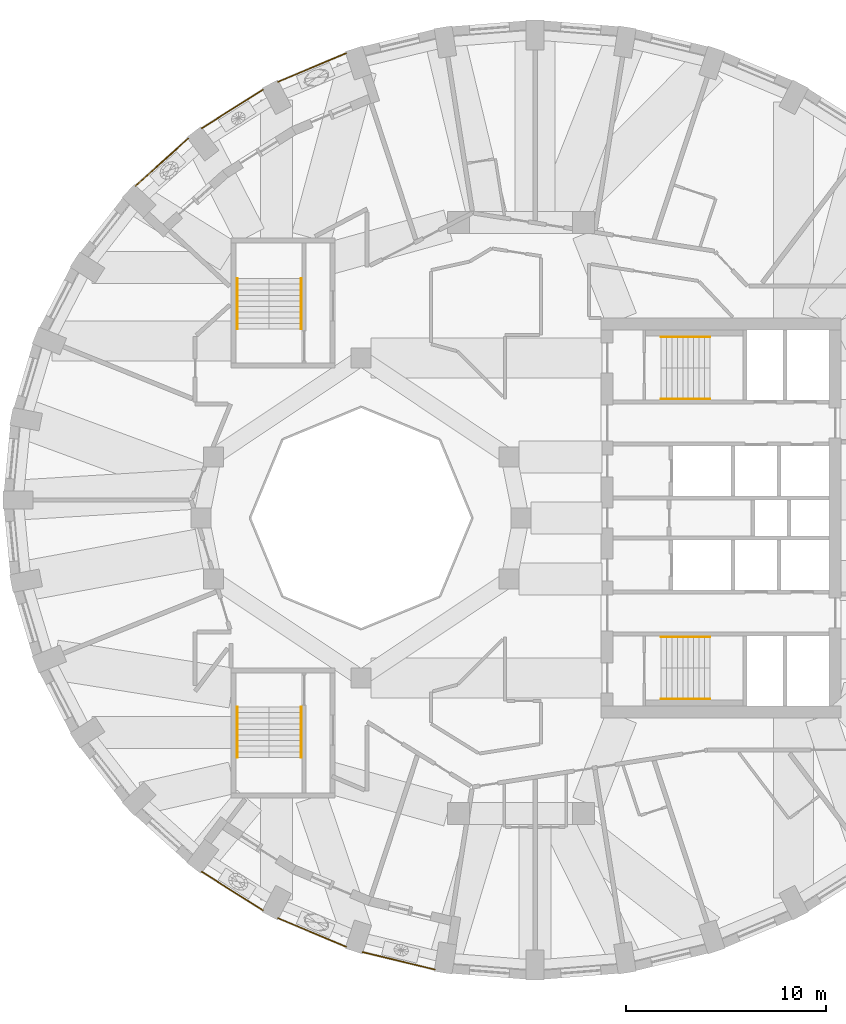
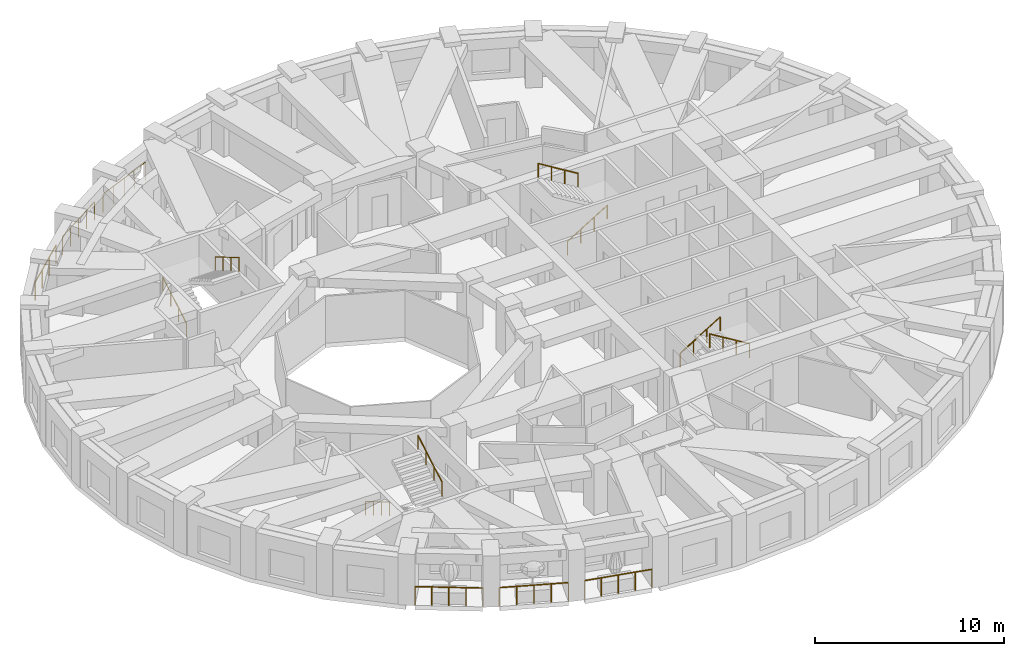
# One storey, part 10 of 12: 14 railings.
"""IFC4 building model written with IfcOpenShell, lengths in metres."""

from ifc_helpers import new_model, si_unit, direction, frame, origin, origin_2d, place, context, subcontext, project, spatial, circle, extrude, material, type_object, element, save


model = new_model("IFC4")

# Units and contexts
model_context = context("Model", 3, precision=1e-05, world=origin(), true_north=direction((0.0, 1.0)))
body_context = subcontext(model_context, "Body", "Model", "MODEL_VIEW")
ifc_project = project(units=[si_unit("LENGTHUNIT", "METRE"), si_unit("AREAUNIT", "SQUARE_METRE"), si_unit("VOLUMEUNIT", "CUBIC_METRE"), si_unit("PLANEANGLEUNIT", "RADIAN"), si_unit("MASSUNIT", "GRAM", prefix="KILO")], contexts=[model_context])

# Site, building, storey
site_placement = place(None, origin())
site = spatial("IfcSite", under=ifc_project, at=site_placement, CompositionType="ELEMENT")
building_placement = place(site_placement, origin())
building = spatial("IfcBuilding", under=site, at=building_placement, Name="Taillehof Tower", CompositionType="ELEMENT")
storey_placement = place(building_placement, frame((0.0, 0.0, 209.0)))
storey = spatial("IfcBuildingStorey", under=building, at=storey_placement, Name="L59", CompositionType="ELEMENT", Elevation=209.0)

# Railings
ifc_material_1 = material(Name="Stainless steel balustrade", Category="steel")
railing_type_1 = type_object("IfcRailingType", Name="Balcony guard 1200", PredefinedType="GUARDRAIL", material=ifc_material_1)
railing_1_placement = place(storey_placement, frame((-15.967041015625, -17.6904296875, 0.0)))
element("IfcRailing", 1, at=railing_1_placement, inside=storey, type_object=railing_type_1, Name="Balcony guard L59 bay 24", PredefinedType="GUARDRAIL", context=body_context, shape_type="SweptSolid", body=[
    extrude(circle(Radius=0.02392578125, at=origin_2d()), frame((0.0, 0.0, 1.17578125), z_axis=(0.846122283453, -0.532988819249, 0.0), x_axis=(0.532988819249, 0.846122283453, 0.0)), (0.0, 0.0, 1.0), 3.614501953125),
    extrude(circle(Radius=0.02099609375, at=origin_2d()), origin(), (0.0, 0.0, 1.0), 1.15185546875),
    extrude(circle(Radius=0.02099609375, at=origin_2d()), frame((0.7646484375, -0.481689453125, 0.0)), (0.0, 0.0, 1.0), 1.15185546875),
    extrude(circle(Radius=0.02099609375, at=origin_2d()), frame((1.529296875, -0.96337890625, 0.0)), (0.0, 0.0, 1.0), 1.15185546875),
    extrude(circle(Radius=0.02099609375, at=origin_2d()), frame((2.293701171875, -1.44482421875, 0.0)), (0.0, 0.0, 1.0), 1.15185546875),
    extrude(circle(Radius=0.02099609375, at=origin_2d()), frame((3.058349609375, -1.926513671875, 0.0)), (0.0, 0.0, 1.0), 1.15185546875),
])
railing_2_placement = place(storey_placement, frame((-12.145751953125, -20.013671875, 0.0)))
element("IfcRailing", 2, at=railing_2_placement, inside=storey, type_object=railing_type_1, Name="Balcony guard L59 bay 25", PredefinedType="GUARDRAIL", context=body_context, shape_type="SweptSolid", body=[
    extrude(circle(Radius=0.02392578125, at=origin_2d()), frame((0.0, 0.0, 1.17578125), z_axis=(0.922153135678, -0.386825017752, 0.0), x_axis=(0.386825017752, 0.922153135678, 0.0)), (0.0, 0.0, 1.0), 3.677734375),
    extrude(circle(Radius=0.02099609375, at=origin_2d()), origin(), (0.0, 0.0, 1.0), 1.15185546875),
    extrude(circle(Radius=0.02099609375, at=origin_2d()), frame((0.847900390625, -0.355712890625, 0.0)), (0.0, 0.0, 1.0), 1.15185546875),
    extrude(circle(Radius=0.02099609375, at=origin_2d()), frame((1.69580078125, -0.71142578125, 0.0)), (0.0, 0.0, 1.0), 1.15185546875),
    extrude(circle(Radius=0.02099609375, at=origin_2d()), frame((2.54345703125, -1.06689453125, 0.0)), (0.0, 0.0, 1.0), 1.15185546875),
    extrude(circle(Radius=0.02099609375, at=origin_2d()), frame((3.391357421875, -1.422607421875, 0.0)), (0.0, 0.0, 1.0), 1.15185546875),
])
railing_3_placement = place(storey_placement, frame((-7.93701171875, -21.704345703125, 0.0)))
element("IfcRailing", 3, at=railing_3_placement, inside=storey, type_object=railing_type_1, Name="Balcony guard L59 bay 26", PredefinedType="GUARDRAIL", context=body_context, shape_type="SweptSolid", body=[
    extrude(circle(Radius=0.02392578125, at=origin_2d()), frame((0.0, 0.0, 1.17578125), z_axis=(0.972163104093, -0.234305140875, 0.0), x_axis=(0.234305140875, 0.972163104093, 0.0)), (0.0, 0.0, 1.0), 3.72412109375),
    extrude(circle(Radius=0.02099609375, at=origin_2d()), origin(), (0.0, 0.0, 1.0), 1.15185546875),
    extrude(circle(Radius=0.02099609375, at=origin_2d()), frame((0.905029296875, -0.21826171875, 0.0)), (0.0, 0.0, 1.0), 1.15185546875),
    extrude(circle(Radius=0.02099609375, at=origin_2d()), frame((1.81005859375, -0.436279296875, 0.0)), (0.0, 0.0, 1.0), 1.15185546875),
    extrude(circle(Radius=0.02099609375, at=origin_2d()), frame((2.71533203125, -0.654296875, 0.0)), (0.0, 0.0, 1.0), 1.15185546875),
    extrude(circle(Radius=0.02099609375, at=origin_2d()), frame((3.620361328125, -0.87255859375, 0.0)), (0.0, 0.0, 1.0), 1.15185546875),
])
railing_4_placement = place(storey_placement, frame((-8.75439453125, 23.236328125, 0.0)))
element("IfcRailing", 4, at=railing_4_placement, inside=storey, type_object=railing_type_1, Name="Balcony guard L59 bay 12", PredefinedType="GUARDRAIL", context=body_context, shape_type="SweptSolid", body=[
    extrude(circle(Radius=0.02392578125, at=origin_2d()), frame((0.0, 0.0, 1.17578125), z_axis=(-0.922153135678, -0.386825017752, 0.0), x_axis=(0.386825017752, -0.922153135678, 0.0)), (0.0, 0.0, 1.0), 3.677734375),
    extrude(circle(Radius=0.02099609375, at=origin_2d()), origin(), (0.0, 0.0, 1.0), 1.15185546875),
    extrude(circle(Radius=0.02099609375, at=origin_2d()), frame((-0.847900390625, -0.355712890625, 0.0)), (0.0, 0.0, 1.0), 1.15185546875),
    extrude(circle(Radius=0.02099609375, at=origin_2d()), frame((-1.69580078125, -0.71142578125, 0.0)), (0.0, 0.0, 1.0), 1.15185546875),
    extrude(circle(Radius=0.02099609375, at=origin_2d()), frame((-2.54345703125, -1.06689453125, 0.0)), (0.0, 0.0, 1.0), 1.15185546875),
    extrude(circle(Radius=0.02099609375, at=origin_2d()), frame((-3.391357421875, -1.422607421875, 0.0)), (0.0, 0.0, 1.0), 1.15185546875),
])
railing_5_placement = place(storey_placement, frame((-12.90869140625, 21.4169921875, 0.0)))
element("IfcRailing", 5, at=railing_5_placement, inside=storey, type_object=railing_type_1, Name="Balcony guard L59 bay 13", PredefinedType="GUARDRAIL", context=body_context, shape_type="SweptSolid", body=[
    extrude(circle(Radius=0.02392578125, at=origin_2d()), frame((0.0, 0.0, 1.17578125), z_axis=(-0.846122283453, -0.532988819249, 0.0), x_axis=(0.532988819249, -0.846122283453, 0.0)), (0.0, 0.0, 1.0), 3.614501953125),
    extrude(circle(Radius=0.02099609375, at=origin_2d()), origin(), (0.0, 0.0, 1.0), 1.15185546875),
    extrude(circle(Radius=0.02099609375, at=origin_2d()), frame((-0.7646484375, -0.481689453125, 0.0)), (0.0, 0.0, 1.0), 1.15185546875),
    extrude(circle(Radius=0.02099609375, at=origin_2d()), frame((-1.529296875, -0.96337890625, 0.0)), (0.0, 0.0, 1.0), 1.15185546875),
    extrude(circle(Radius=0.02099609375, at=origin_2d()), frame((-2.293701171875, -1.44482421875, 0.0)), (0.0, 0.0, 1.0), 1.15185546875),
    extrude(circle(Radius=0.02099609375, at=origin_2d()), frame((-3.058349609375, -1.926513671875, 0.0)), (0.0, 0.0, 1.0), 1.15185546875),
])
railing_6_placement = place(storey_placement, frame((-16.6533203125, 18.971923828125, 0.0)))
element("IfcRailing", 6, at=railing_6_placement, inside=storey, type_object=railing_type_1, Name="Balcony guard L59 bay 14", PredefinedType="GUARDRAIL", context=body_context, shape_type="SweptSolid", body=[
    extrude(circle(Radius=0.02392578125, at=origin_2d()), frame((0.0, 0.0, 1.17578125), z_axis=(-0.743448370075, -0.668793332079, 0.0), x_axis=(0.668793332079, -0.743448370075, 0.0)), (0.0, 0.0, 1.0), 3.541748046875),
    extrude(circle(Radius=0.02099609375, at=origin_2d()), origin(), (0.0, 0.0, 1.0), 1.15185546875),
    extrude(circle(Radius=0.02099609375, at=origin_2d()), frame((-0.877685546875, -0.78955078125, 0.0)), (0.0, 0.0, 1.0), 1.15185546875),
    extrude(circle(Radius=0.02099609375, at=origin_2d()), frame((-1.75537109375, -1.5791015625, 0.0)), (0.0, 0.0, 1.0), 1.15185546875),
    extrude(circle(Radius=0.02099609375, at=origin_2d()), frame((-2.633056640625, -2.36865234375, 0.0)), (0.0, 0.0, 1.0), 1.15185546875),
])
ifc_material_2 = material(Name="Stainless steel", Category="steel")
railing_type_2 = type_object("IfcRailingType", Name="Stair handrail 900", PredefinedType="HANDRAIL", material=ifc_material_2)
railing_7_placement = place(storey_placement, frame((7.0, 5.949951171875, 0.1650390625)))
element("IfcRailing", 7, at=railing_7_placement, inside=storey, type_object=railing_type_2, Name="Stair S1 handrail", PredefinedType="HANDRAIL", context=body_context, shape_type="SweptSolid", body=[
    extrude(circle(Radius=0.02392578125, at=origin_2d()), frame((0.0, 0.0, 0.8759765625), z_axis=(0.853296667938, 0.0, 0.521425734392), x_axis=(0.0, 1.0, 0.0)), (0.0, 0.0, 1.0), 2.84765625),
    extrude(circle(Radius=0.02099609375, at=origin_2d()), origin(), (0.0, 0.0, 1.0), 0.851806640625),
    extrude(circle(Radius=0.02099609375, at=origin_2d()), frame((0.81005859375, 0.0, 0.494873046875)), (0.0, 0.0, 1.0), 0.851806640625),
    extrude(circle(Radius=0.02099609375, at=origin_2d()), frame((1.619873046875, 0.0, 0.989990234375)), (0.0, 0.0, 1.0), 0.851806640625),
    extrude(circle(Radius=0.02099609375, at=origin_2d()), frame((2.429931640625, 0.0, 1.48486328125)), (0.0, 0.0, 1.0), 0.851806640625),
])
railing_8_placement = place(storey_placement, frame((9.429931640625, 9.050048828125, 1.81494140625)))
element("IfcRailing", 8, at=railing_8_placement, inside=storey, type_object=railing_type_2, Name="Stair S1 handrail", PredefinedType="HANDRAIL", context=body_context, shape_type="SweptSolid", body=[
    extrude(circle(Radius=0.02392578125, at=origin_2d()), frame((0.0, 0.0, 0.8759765625), z_axis=(-0.853258522278, 0.0, 0.521488153423), x_axis=(0.0, -1.0, 0.0)), (0.0, 0.0, 1.0), 2.847900390625),
    extrude(circle(Radius=0.02099609375, at=origin_2d()), origin(), (0.0, 0.0, 1.0), 0.851806640625),
    extrude(circle(Radius=0.02099609375, at=origin_2d()), frame((-0.81005859375, 0.0, 0.4951171875)), (0.0, 0.0, 1.0), 0.851806640625),
    extrude(circle(Radius=0.02099609375, at=origin_2d()), frame((-1.619873046875, 0.0, 0.989990234375)), (0.0, 0.0, 1.0), 0.851806640625),
    extrude(circle(Radius=0.02099609375, at=origin_2d()), frame((-2.429931640625, 0.0, 1.485107421875)), (0.0, 0.0, 1.0), 0.851806640625),
])
railing_9_placement = place(storey_placement, frame((7.0, -5.949951171875, 0.1650390625)))
element("IfcRailing", 9, at=railing_9_placement, inside=storey, type_object=railing_type_2, Name="Stair S2 handrail", PredefinedType="HANDRAIL", context=body_context, shape_type="SweptSolid", body=[
    extrude(circle(Radius=0.02392578125, at=origin_2d()), frame((0.0, 0.0, 0.8759765625), z_axis=(0.853296667938, 0.0, 0.521425734392), x_axis=(0.0, 1.0, 0.0)), (0.0, 0.0, 1.0), 2.84765625),
    extrude(circle(Radius=0.02099609375, at=origin_2d()), origin(), (0.0, 0.0, 1.0), 0.851806640625),
    extrude(circle(Radius=0.02099609375, at=origin_2d()), frame((0.81005859375, 0.0, 0.494873046875)), (0.0, 0.0, 1.0), 0.851806640625),
    extrude(circle(Radius=0.02099609375, at=origin_2d()), frame((1.619873046875, 0.0, 0.989990234375)), (0.0, 0.0, 1.0), 0.851806640625),
    extrude(circle(Radius=0.02099609375, at=origin_2d()), frame((2.429931640625, 0.0, 1.48486328125)), (0.0, 0.0, 1.0), 0.851806640625),
])
railing_10_placement = place(storey_placement, frame((9.429931640625, -9.050048828125, 1.81494140625)))
element("IfcRailing", 10, at=railing_10_placement, inside=storey, type_object=railing_type_2, Name="Stair S2 handrail", PredefinedType="HANDRAIL", context=body_context, shape_type="SweptSolid", body=[
    extrude(circle(Radius=0.02392578125, at=origin_2d()), frame((0.0, 0.0, 0.8759765625), z_axis=(-0.853258522278, 0.0, 0.521488153423), x_axis=(0.0, -1.0, 0.0)), (0.0, 0.0, 1.0), 2.847900390625),
    extrude(circle(Radius=0.02099609375, at=origin_2d()), origin(), (0.0, 0.0, 1.0), 0.851806640625),
    extrude(circle(Radius=0.02099609375, at=origin_2d()), frame((-0.81005859375, 0.0, 0.4951171875)), (0.0, 0.0, 1.0), 0.851806640625),
    extrude(circle(Radius=0.02099609375, at=origin_2d()), frame((-1.619873046875, 0.0, 0.989990234375)), (0.0, 0.0, 1.0), 0.851806640625),
    extrude(circle(Radius=0.02099609375, at=origin_2d()), frame((-2.429931640625, 0.0, 1.485107421875)), (0.0, 0.0, 1.0), 0.851806640625),
])
railing_11_placement = place(storey_placement, frame((-14.199951171875, 9.449951171875, 0.1650390625)))
element("IfcRailing", 11, at=railing_11_placement, inside=storey, type_object=railing_type_2, Name="Stair S3 handrail", PredefinedType="HANDRAIL", context=body_context, shape_type="SweptSolid", body=[
    extrude(circle(Radius=0.02392578125, at=origin_2d()), frame((0.0, 0.0, 0.8759765625), z_axis=(0.0, 0.861560626758, 0.507654692109), x_axis=(-1.0, 0.0, 0.0)), (0.0, 0.0, 1.0), 2.925048828125),
    extrude(circle(Radius=0.02099609375, at=origin_2d()), origin(), (0.0, 0.0, 1.0), 0.851806640625),
    extrude(circle(Radius=0.02099609375, at=origin_2d()), frame((0.0, 0.840087890625, 0.494873046875)), (0.0, 0.0, 1.0), 0.851806640625),
    extrude(circle(Radius=0.02099609375, at=origin_2d()), frame((0.0, 1.679931640625, 0.989990234375)), (0.0, 0.0, 1.0), 0.851806640625),
    extrude(circle(Radius=0.02099609375, at=origin_2d()), frame((0.0, 2.52001953125, 1.48486328125)), (0.0, 0.0, 1.0), 0.851806640625),
])
railing_12_placement = place(storey_placement, frame((-11.0, 11.969970703125, 1.81494140625)))
element("IfcRailing", 12, at=railing_12_placement, inside=storey, type_object=railing_type_2, Name="Stair S3 handrail", PredefinedType="HANDRAIL", context=body_context, shape_type="SweptSolid", body=[
    extrude(circle(Radius=0.02392578125, at=origin_2d()), frame((0.0, 0.0, 0.8759765625), z_axis=(0.0, -0.86152411907, 0.507716645641), x_axis=(1.0, 0.0, 0.0)), (0.0, 0.0, 1.0), 2.925048828125),
    extrude(circle(Radius=0.02099609375, at=origin_2d()), origin(), (0.0, 0.0, 1.0), 0.851806640625),
    extrude(circle(Radius=0.02099609375, at=origin_2d()), frame((0.0, -0.840087890625, 0.4951171875)), (0.0, 0.0, 1.0), 0.851806640625),
    extrude(circle(Radius=0.02099609375, at=origin_2d()), frame((0.0, -1.679931640625, 0.989990234375)), (0.0, 0.0, 1.0), 0.851806640625),
    extrude(circle(Radius=0.02099609375, at=origin_2d()), frame((0.0, -2.52001953125, 1.485107421875)), (0.0, 0.0, 1.0), 0.851806640625),
])
railing_13_placement = place(storey_placement, frame((-14.199951171875, -9.449951171875, 0.1650390625)))
element("IfcRailing", 13, at=railing_13_placement, inside=storey, type_object=railing_type_2, Name="Stair S4 handrail", PredefinedType="HANDRAIL", context=body_context, shape_type="SweptSolid", body=[
    extrude(circle(Radius=0.02392578125, at=origin_2d()), frame((0.0, 0.0, 0.8759765625), z_axis=(0.0, -0.861560626758, 0.507654692109), x_axis=(1.0, 0.0, 0.0)), (0.0, 0.0, 1.0), 2.925048828125),
    extrude(circle(Radius=0.02099609375, at=origin_2d()), origin(), (0.0, 0.0, 1.0), 0.851806640625),
    extrude(circle(Radius=0.02099609375, at=origin_2d()), frame((0.0, -0.840087890625, 0.494873046875)), (0.0, 0.0, 1.0), 0.851806640625),
    extrude(circle(Radius=0.02099609375, at=origin_2d()), frame((0.0, -1.679931640625, 0.989990234375)), (0.0, 0.0, 1.0), 0.851806640625),
    extrude(circle(Radius=0.02099609375, at=origin_2d()), frame((0.0, -2.52001953125, 1.48486328125)), (0.0, 0.0, 1.0), 0.851806640625),
])
railing_14_placement = place(storey_placement, frame((-11.0, -11.969970703125, 1.81494140625)))
element("IfcRailing", 14, at=railing_14_placement, inside=storey, type_object=railing_type_2, Name="Stair S4 handrail", PredefinedType="HANDRAIL", context=body_context, shape_type="SweptSolid", body=[
    extrude(circle(Radius=0.02392578125, at=origin_2d()), frame((0.0, 0.0, 0.8759765625), z_axis=(0.0, 0.86152411907, 0.507716645641), x_axis=(-1.0, 0.0, 0.0)), (0.0, 0.0, 1.0), 2.925048828125),
    extrude(circle(Radius=0.02099609375, at=origin_2d()), origin(), (0.0, 0.0, 1.0), 0.851806640625),
    extrude(circle(Radius=0.02099609375, at=origin_2d()), frame((0.0, 0.840087890625, 0.4951171875)), (0.0, 0.0, 1.0), 0.851806640625),
    extrude(circle(Radius=0.02099609375, at=origin_2d()), frame((0.0, 1.679931640625, 0.989990234375)), (0.0, 0.0, 1.0), 0.851806640625),
    extrude(circle(Radius=0.02099609375, at=origin_2d()), frame((0.0, 2.52001953125, 1.485107421875)), (0.0, 0.0, 1.0), 0.851806640625),
])

save(model, "model.ifc")
